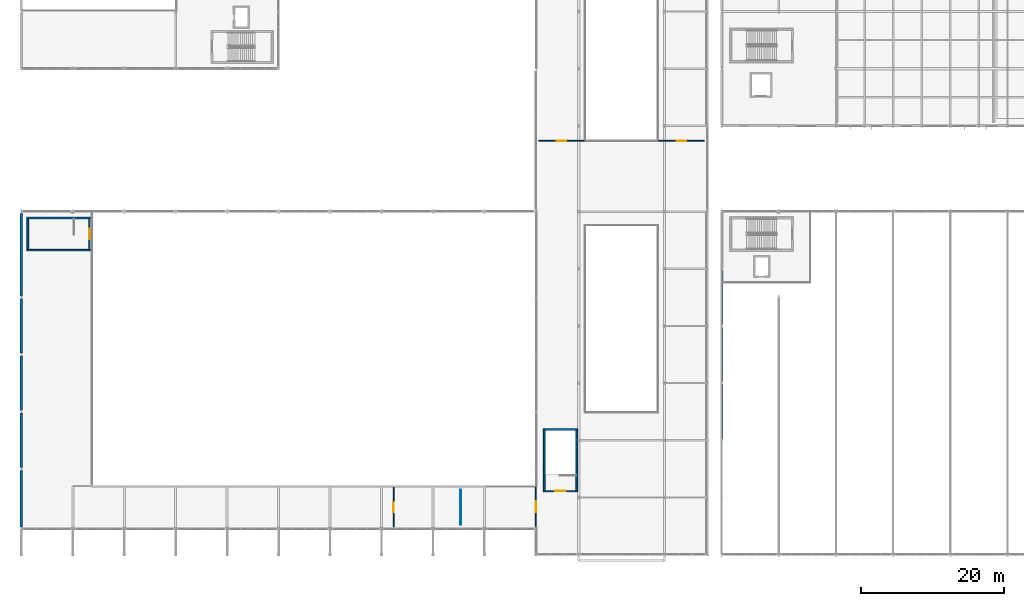
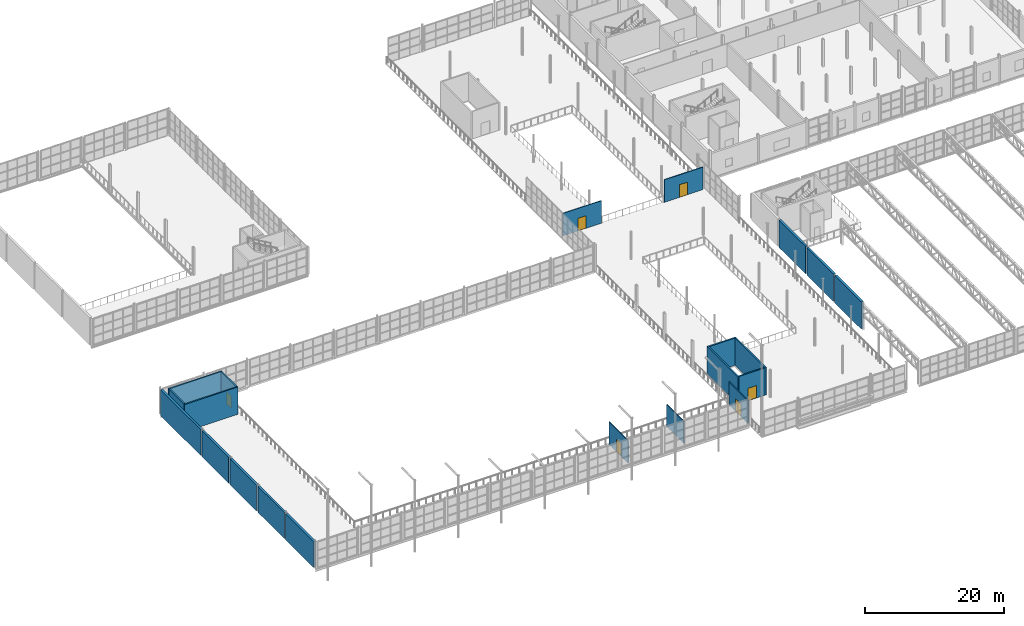
# One storey, part 122 of 143: 21 walls, 6 doors, 6 openings.
"""IFC4 building model written with IfcOpenShell, lengths in metres."""

import ifcopenshell
import ifcopenshell.guid

model = None  # the IFC model being written
_history = None  # IfcOwnerHistory: only IFC2X3 demands one
_inside = {}  # id of a spatial element -> (the spatial element, [elements in it])
_under = {}  # id of a project, library or spatial element -> (it, [spatial elements below it])
_declared = {}  # id of a project -> (the project, [libraries it declares])
_typed = {}  # id of a type object -> (the type object, [elements of that type])
_made_of = {}  # id of a material, layer set ... -> (it, [elements and type objects made of it])


def new_model(schema):
    """Start an empty IFC model of exactly this schema.

    Asked for "IFC4X3", IfcOpenShell would pick the latest addendum, in which some entities
    have other attributes; the version numbers below select the first issue.
    IFC2X3 requires an IfcOwnerHistory on every rooted entity: one is made here for all.
    """
    global model, _history
    if schema == "IFC4X3":
        model = ifcopenshell.file(schema_version=(4, 3, 0, 0))
    else:
        model = ifcopenshell.file(schema=schema)
    _inside.clear()
    _under.clear()
    _declared.clear()
    _typed.clear()
    _made_of.clear()
    _history = None
    if model.schema == "IFC2X3":
        org = make("IfcOrganization", Name="unknown")
        user = make(
            "IfcPersonAndOrganization",
            ThePerson=make("IfcPerson", FamilyName="unknown"),
            TheOrganization=org,
        )
        app = make(
            "IfcApplication",
            ApplicationDeveloper=org,
            Version="unknown",
            ApplicationFullName="unknown",
            ApplicationIdentifier="unknown",
        )
        _history = make(
            "IfcOwnerHistory",
            OwningUser=user,
            OwningApplication=app,
            ChangeAction="ADDED",
            CreationDate=0,
        )
    return model


def make(cls, **values):
    """One entity of the class cls with the attributes given. An attribute that is None is left unset."""
    return model.create_entity(
        cls, **{name: value for name, value in values.items() if value is not None}
    )


def rooted(cls, **values):
    """An entity with a GlobalId (a new one), such as an element, a storey or a relation."""
    return make(cls, GlobalId=ifcopenshell.guid.new(), OwnerHistory=_history, **values)


def si_unit(unit_type, name, prefix=None):
    """IfcSIUnit, for example si_unit("LENGTHUNIT", "METRE", prefix="MILLI")."""
    return make("IfcSIUnit", UnitType=unit_type, Prefix=prefix, Name=name)


def derived_unit(unit_type, elements):
    """IfcDerivedUnit: a product of units, each with its exponent."""
    return make(
        "IfcDerivedUnit",
        Elements=[
            make("IfcDerivedUnitElement", Unit=unit, Exponent=power)
            for unit, power in elements
        ],
        UnitType=unit_type,
    )


def assignment(units):
    """IfcUnitAssignment: the units of a project."""
    return None if units is None else make("IfcUnitAssignment", Units=units)


def point(xyz):
    """IfcCartesianPoint."""
    return None if xyz is None else make("IfcCartesianPoint", Coordinates=xyz)


def direction(xyz):
    """IfcDirection."""
    return None if xyz is None else make("IfcDirection", DirectionRatios=xyz)


def frame(location, z_axis=None, x_axis=None):
    """IfcAxis2Placement3D, a coordinate frame: its origin and axes. An axis left out is left unset."""
    return make(
        "IfcAxis2Placement3D",
        Location=point(location),
        Axis=direction(z_axis),
        RefDirection=direction(x_axis),
    )


def frame_2d(location, x_axis=None):
    """IfcAxis2Placement2D, a coordinate frame in the plane: its origin and x axis."""
    return make(
        "IfcAxis2Placement2D", Location=point(location), RefDirection=direction(x_axis)
    )


def origin():
    """The frame at (0, 0, 0) with its axes left unset."""
    return frame((0.0, 0.0, 0.0))


def place(relative_to, where):
    """IfcLocalPlacement: puts the frame where relative to a parent placement (None: the world)."""
    return make(
        "IfcLocalPlacement", PlacementRelTo=relative_to, RelativePlacement=where
    )


def context(
    kind, dimensions, precision=None, world=None, true_north=None, identifier=None
):
    """IfcGeometricRepresentationContext, for example the 3D "Model" context."""
    return make(
        "IfcGeometricRepresentationContext",
        ContextIdentifier=identifier,
        ContextType=kind,
        CoordinateSpaceDimension=dimensions,
        Precision=precision,
        WorldCoordinateSystem=world,
        TrueNorth=true_north,
    )


def subcontext(parent, identifier, kind, view, scale=None):
    """IfcGeometricRepresentationSubContext, for example "Body" below "Model"."""
    return make(
        "IfcGeometricRepresentationSubContext",
        ContextIdentifier=identifier,
        ContextType=kind,
        ParentContext=parent,
        TargetScale=scale,
        TargetView=view,
    )


def project(units=None, contexts=None):
    """IfcProject with its units and contexts."""
    return rooted(
        "IfcProject",
        Name="project",
        RepresentationContexts=contexts,
        UnitsInContext=assignment(units),
    )


def spatial(cls, under=None, at=None, **own):
    """A site, building, storey or space (cls), placed at a placement, below another one or the project."""
    s = rooted(cls, ObjectPlacement=at, **own)
    if under is not None:
        _under.setdefault(under.id(), (under, []))[1].append(s)
    return s


def profile(cls, at=None, kind="AREA", **sizes):
    """A parametric profile (cls). Its sizes go by their IFC names, for example OverallWidth=200.0."""
    return make(cls, ProfileType=kind, Position=at, **sizes)


def rectangle(**sizes):
    """IfcRectangleProfileDef."""
    return profile("IfcRectangleProfileDef", **sizes)


def extrude(swept, where, along, depth):
    """IfcExtrudedAreaSolid: the profile swept, set in the frame where, extruded along a direction by depth."""
    return make(
        "IfcExtrudedAreaSolid",
        SweptArea=swept,
        Position=where,
        ExtrudedDirection=direction(along),
        Depth=depth,
    )


def shape(context_of_items, identifier, shape_type, items):
    """IfcShapeRepresentation: the items that make up one representation, for example the "Body"."""
    return make(
        "IfcShapeRepresentation",
        ContextOfItems=context_of_items,
        RepresentationIdentifier=identifier,
        RepresentationType=shape_type,
        Items=items,
    )


def material(Name=None, Category=None):
    """IfcMaterial."""
    return make("IfcMaterial", Name=Name, Category=Category)


def layer(
    of_material, thickness, ventilated=None, Name=None, Category=None, Priority=None
):
    """IfcMaterialLayer: one layer of a wall or slab, of a material (None: an air gap)."""
    return make(
        "IfcMaterialLayer",
        Material=of_material,
        LayerThickness=thickness,
        IsVentilated=ventilated,
        Name=Name,
        Category=Category,
        Priority=Priority,
    )


def layer_set(layers, Name=None):
    """IfcMaterialLayerSet."""
    return make("IfcMaterialLayerSet", MaterialLayers=layers, LayerSetName=Name)


def made_of(thing, what):
    """Note that an element or type object is made of a material, layer set ...; save() writes the relation."""
    if what is not None:
        _made_of.setdefault(what.id(), (what, []))[1].append(thing)
    return thing


def type_object(cls, material=None, **own):
    """A type object (cls), such as IfcWallType, which elements share."""
    return made_of(rooted(cls, **own), material)


def element(
    cls,
    number,
    at=None,
    inside=None,
    cuts=None,
    type_object=None,
    material=None,
    context=None,
    identifier="Body",
    shape_type=None,
    held_by="IfcProductDefinitionShape",
    body=None,
    shapes=None,
    **own,
):
    """One element of the class cls, such as IfcWall. Its Tag is "e" and its number.

    at: its placement. inside: the storey or other place that contains it. cuts: it is an
    opening in that element (IfcRelVoidsElement). A single representation is given by context,
    identifier, shape_type and body (its items); several are given by shapes. held_by: the class
    of the entity that holds the representations. save() writes the other relations.
    """
    e = rooted(cls, Tag="e%d" % number, ObjectPlacement=at, **own)
    if body is not None:
        shapes = [shape(context, identifier, shape_type, body)]
    if shapes is not None:
        e.Representation = make(held_by, Representations=shapes)
    if inside is not None:
        _inside.setdefault(inside.id(), (inside, []))[1].append(e)
    if cuts is not None:
        rooted(
            "IfcRelVoidsElement", RelatingBuildingElement=cuts, RelatedOpeningElement=e
        )
    if type_object is not None:
        _typed.setdefault(type_object.id(), (type_object, []))[1].append(e)
    return made_of(e, material)


def fill(opening, filler):
    """IfcRelFillsElement: the door or window that sits in an opening."""
    return rooted(
        "IfcRelFillsElement",
        RelatingOpeningElement=opening,
        RelatedBuildingElement=filler,
    )


def aggregate(whole, parts):
    """IfcRelAggregates: a whole, such as a stair, and the parts it consists of."""
    return rooted("IfcRelAggregates", RelatingObject=whole, RelatedObjects=parts)


def save(model, path):
    """Write the relations noted so far, then the file.

    IfcRelAggregates (storeys below a building ...), IfcRelContainedInSpatialStructure (elements
    in a storey), IfcRelDefinesByType, IfcRelAssociatesMaterial and IfcRelDeclares: one each for
    every whole, place, type object, material and project.
    """
    for whole, parts in _under.values():
        aggregate(whole, parts)
    for where, things in _inside.values():
        rooted(
            "IfcRelContainedInSpatialStructure",
            RelatedElements=things,
            RelatingStructure=where,
        )
    for kind, things in _typed.values():
        rooted("IfcRelDefinesByType", RelatedObjects=things, RelatingType=kind)
    for what, things in _made_of.values():
        rooted("IfcRelAssociatesMaterial", RelatedObjects=things, RelatingMaterial=what)
    for by, libraries in _declared.values():
        rooted("IfcRelDeclares", RelatingContext=by, RelatedDefinitions=libraries)
    model.write(path)


model = new_model("IFC4")

# Units and contexts
model_context = context("Model", 3, precision=1e-05, world=origin(), true_north=direction((0.0, 1.0)))
body_context = subcontext(model_context, "Body", "Model", "MODEL_VIEW")
ifc_project = project(units=[si_unit("LENGTHUNIT", "METRE"), si_unit("AREAUNIT", "SQUARE_METRE"), si_unit("VOLUMEUNIT", "CUBIC_METRE"), si_unit("PLANEANGLEUNIT", "RADIAN"), si_unit("MASSUNIT", "GRAM", prefix="KILO"), derived_unit("THERMALTRANSMITTANCEUNIT", [(si_unit("POWERUNIT", "WATT"), 1), (si_unit("LENGTHUNIT", "METRE"), -2), (si_unit("THERMODYNAMICTEMPERATUREUNIT", "KELVIN"), -1)])], contexts=[model_context])

# Site, building, storey
site_placement = place(None, origin())
site = spatial("IfcSite", under=ifc_project, at=site_placement, CompositionType="ELEMENT")
building_placement = place(site_placement, origin())
building = spatial("IfcBuilding", under=site, at=building_placement, Name="Keldorne Ridge Multi-Sports Centre", CompositionType="ELEMENT")
storey_placement = place(building_placement, frame((0.0, 0.0, 4.800048828125)))
storey = spatial("IfcBuildingStorey", under=building, at=storey_placement, Name="L01", CompositionType="ELEMENT", Elevation=4.800048828125)

# Walls
ifc_material_1 = material(Name="Acoustic operable panel partition")
ifc_layer_1 = layer(ifc_material_1, 0.110107421875)
ifc_layer_set_1 = layer_set([ifc_layer_1])
wall_type_1 = type_object("IfcWallType", Name="WAL-MV-01", PredefinedType="MOVABLE", material=ifc_layer_set_1)
wall_1_placement = place(storey_placement, frame((67.5, 10.199951171875, 0.0), z_axis=(0.0, 0.0, 1.0), x_axis=(0.0, 1.0, 0.0)))
element("IfcWall", 1, at=wall_1_placement, inside=storey, type_object=wall_type_1, Name="Acoustic operable studio partition MV-06", PredefinedType="MOVABLE", context=body_context, shape_type="SweptSolid", body=[
    extrude(rectangle(XDim=4.900146484375, YDim=0.110107421875, at=frame_2d((2.4501953125, 0.0))), origin(), (0.0, 0.0, 1.0), 3.849853515625),
])
ifc_material_2 = material(Name="Precast concrete C40/50", Category="concrete")
ifc_layer_2 = layer(ifc_material_2, 0.360107421875)
ifc_layer_set_2 = layer_set([ifc_layer_2], Name="Precast concrete C40/50")
wall_type_2 = type_object("IfcWallType", Name="WAL-PR-W2", PredefinedType="STANDARD", material=ifc_layer_set_2)
wall_2_placement = place(storey_placement, frame((6.0, 17.818115234375, 0.0), z_axis=(0.0, 0.0, 1.0), x_axis=(0.0, -1.0, 0.0)))
element("IfcWall", 2, at=wall_2_placement, inside=storey, type_object=wall_type_2, Name="Main Hall west gable wall L01.1", PredefinedType="STANDARD", context=body_context, shape_type="SweptSolid", body=[
    extrude(rectangle(XDim=7.966064453125, YDim=0.360107421875, at=frame_2d((3.98291015625, 0.0))), origin(), (0.0, 0.0, 1.0), 4.554931640625),
])
for number, where, z_axis, x_axis, name in (
    (3, (6.0, 25.818115234375, 0.0), (0.0, 0.0, 1.0), (0.0, -1.0, 0.0), "Main Hall west gable wall L01.2"),
    (4, (6.0, 33.818115234375, 0.0), (0.0, 0.0, 1.0), (0.0, -1.0, 0.0), "Main Hall west gable wall L01.3"),
    (5, (6.0, 41.818115234375, 0.0), (0.0, 0.0, 1.0), (0.0, -1.0, 0.0), "Main Hall west gable wall L01.4"),
):
    element("IfcWall", number, at=place(storey_placement, frame(where, z_axis=z_axis, x_axis=x_axis)), inside=storey, type_object=wall_type_2, Name=name, PredefinedType="STANDARD", context=body_context, shape_type="SweptSolid", body=[
        extrude(rectangle(XDim=7.63623046875, YDim=0.360107421875, at=frame_2d((3.818115234375, 0.0))), origin(), (0.0, 0.0, 1.0), 4.554931640625),
    ])
wall_3_placement = place(storey_placement, frame((6.0, 53.748046875, 0.0), z_axis=(0.0, 0.0, 1.0), x_axis=(0.0, -1.0, 0.0)))
element("IfcWall", 6, at=wall_3_placement, inside=storey, type_object=wall_type_2, Name="Main Hall west gable wall L01.5", PredefinedType="STANDARD", context=body_context, shape_type="SweptSolid", body=[
    extrude(rectangle(XDim=11.566162109375, YDim=0.360107421875, at=frame_2d((5.783203125, 0.0))), origin(), (0.0, 0.0, 1.0), 4.554931640625),
])
for number, where, z_axis, x_axis, name in (
    (7, (104.0, 29.818115234375, 0.0), (0.0, 0.0, 1.0), (0.0, -1.0, 0.0), "Stacked Courts movement-joint wall L01.3"),
    (8, (104.0, 37.818115234375, 0.0), (0.0, 0.0, 1.0), (0.0, -1.0, 0.0), "Stacked Courts movement-joint wall L01.4"),
    (9, (104.0, 45.818115234375, 0.0), (0.0, 0.0, 1.0), (0.0, -1.0, 0.0), "Stacked Courts movement-joint wall L01.5"),
):
    element("IfcWall", number, at=place(storey_placement, frame(where, z_axis=z_axis, x_axis=x_axis)), inside=storey, type_object=wall_type_2, Name=name, PredefinedType="STANDARD", context=body_context, shape_type="SweptSolid", body=[
        extrude(rectangle(XDim=7.63623046875, YDim=0.360107421875, at=frame_2d((3.818115234375, 0.0))), origin(), (0.0, 0.0, 1.0), 4.800048828125),
    ])

# Wall, opening, door
ifc_material_3 = material(Name="Acoustic metal stud plasterboard")
ifc_layer_3 = layer(ifc_material_3, 0.125)
ifc_layer_set_3 = layer_set([ifc_layer_3])
wall_type_3 = type_object("IfcWallType", Name="WAL-PT-01", PredefinedType="PARTITIONING", material=ifc_layer_set_3)
wall_4_placement = place(storey_placement, frame((58.10009765625, 9.89990234375, 0.0), z_axis=(0.0, 0.0, 1.0), x_axis=(0.0, 1.0, 0.0)))
wall_4 = element("IfcWall", 10, at=wall_4_placement, inside=storey, type_object=wall_type_3, Name="Media Seminar Suite west wall IW-L01-038", PredefinedType="PARTITIONING", context=body_context, shape_type="SweptSolid", body=[
    extrude(rectangle(XDim=5.5, YDim=0.125, at=frame_2d((2.75, 0.0))), origin(), (0.0, 0.0, 1.0), 3.949951171875),
])
opening_1_placement = place(wall_4_placement, frame((2.0, 0.0, 0.0)))
opening_1 = element("IfcOpeningElement", 11, at=opening_1_placement, cuts=wall_4, Name="Opening D-09", PredefinedType="OPENING", context=body_context, shape_type="SweptSolid", body=[
    extrude(rectangle(XDim=1.35009765625, YDim=2.199951171875, at=frame_2d((0.675048828125, 1.10009765625))), frame((0.0, 0.072509765625, 0.0), z_axis=(0.0, -1.0, 0.0), x_axis=(1.0, 0.0, 0.0)), (0.0, 0.0, 1.0), 0.14501953125),
])
ifc_material_4 = material(Name="Timber acoustic pair", Category="wood")
door_type_1 = type_object("IfcDoorType", Name="DR-D-09", OperationType="NOTDEFINED", PredefinedType="DOOR", material=ifc_material_4)
door_1_placement = place(opening_1_placement, origin())
door_1 = element("IfcDoor", 12, at=door_1_placement, inside=storey, type_object=door_type_1, Name="Media Seminar Suite door D-097", OperationType="DOUBLE_DOOR_SINGLE_SWING", OverallHeight=2.199951171875, OverallWidth=1.35009765625, PredefinedType="DOOR", context=body_context, shape_type="SweptSolid", body=[
    extrude(rectangle(XDim=1.35009765625, YDim=2.199951171875, at=frame_2d((0.675048828125, 1.10009765625))), frame((0.0, 0.02490234375, 0.0), z_axis=(0.0, -1.0, 0.0), x_axis=(1.0, 0.0, 0.0)), (0.0, 0.0, 1.0), 0.050048828125),
])
fill(opening_1, door_1)

wall_5_placement = place(storey_placement, frame((78.39990234375, 63.89990234375, 0.0), z_axis=(0.0, 0.0, 1.0), x_axis=(1.0, 0.0, 0.0)))
wall_5 = element("IfcWall", 13, at=wall_5_placement, inside=storey, type_object=wall_type_3, Name="Club Lounge west divider IW-L01-040", PredefinedType="PARTITIONING", context=body_context, shape_type="SweptSolid", body=[
    extrude(rectangle(XDim=6.400146484375, YDim=0.125, at=frame_2d((3.2001953125, 0.0))), origin(), (0.0, 0.0, 1.0), 3.949951171875),
])
opening_2_placement = place(wall_5_placement, frame((2.5, 0.0, 0.0)))
opening_2 = element("IfcOpeningElement", 14, at=opening_2_placement, cuts=wall_5, Name="Opening D-09", PredefinedType="OPENING", context=body_context, shape_type="SweptSolid", body=[
    extrude(rectangle(XDim=1.35009765625, YDim=2.199951171875, at=frame_2d((0.675048828125, 1.10009765625))), frame((0.0, 0.072509765625, 0.0), z_axis=(0.0, -1.0, 0.0), x_axis=(1.0, 0.0, 0.0)), (0.0, 0.0, 1.0), 0.14501953125),
])
door_2_placement = place(opening_2_placement, origin())
door_2 = element("IfcDoor", 15, at=door_2_placement, inside=storey, type_object=door_type_1, Name="North Community Club Lounge west door D-099", OperationType="DOUBLE_DOOR_SINGLE_SWING", OverallHeight=2.199951171875, OverallWidth=1.35009765625, PredefinedType="DOOR", context=body_context, shape_type="SweptSolid", body=[
    extrude(rectangle(XDim=1.35009765625, YDim=2.199951171875, at=frame_2d((0.675048828125, 1.10009765625))), frame((0.0, 0.02490234375, 0.0), z_axis=(0.0, -1.0, 0.0), x_axis=(1.0, 0.0, 0.0)), (0.0, 0.0, 1.0), 0.050048828125),
])
fill(opening_2, door_2)

wall_6_placement = place(storey_placement, frame((95.199951171875, 63.89990234375, 0.0), z_axis=(0.0, 0.0, 1.0), x_axis=(1.0, 0.0, 0.0)))
wall_6 = element("IfcWall", 16, at=wall_6_placement, inside=storey, type_object=wall_type_3, Name="Club Lounge east divider IW-L01-041", PredefinedType="PARTITIONING", context=body_context, shape_type="SweptSolid", body=[
    extrude(rectangle(XDim=6.400146484375, YDim=0.125, at=frame_2d((3.2001953125, 0.0))), origin(), (0.0, 0.0, 1.0), 3.949951171875),
])
opening_3_placement = place(wall_6_placement, frame((2.5, 0.0, 0.0)))
opening_3 = element("IfcOpeningElement", 17, at=opening_3_placement, cuts=wall_6, Name="Opening D-09", PredefinedType="OPENING", context=body_context, shape_type="SweptSolid", body=[
    extrude(rectangle(XDim=1.35009765625, YDim=2.199951171875, at=frame_2d((0.675048828125, 1.10009765625))), frame((0.0, 0.072509765625, 0.0), z_axis=(0.0, -1.0, 0.0), x_axis=(1.0, 0.0, 0.0)), (0.0, 0.0, 1.0), 0.14501953125),
])
door_3_placement = place(opening_3_placement, origin())
door_3 = element("IfcDoor", 18, at=door_3_placement, inside=storey, type_object=door_type_1, Name="North Community Club Lounge east door D-100", OperationType="DOUBLE_DOOR_SINGLE_SWING", OverallHeight=2.199951171875, OverallWidth=1.35009765625, PredefinedType="DOOR", context=body_context, shape_type="SweptSolid", body=[
    extrude(rectangle(XDim=1.35009765625, YDim=2.199951171875, at=frame_2d((0.675048828125, 1.10009765625))), frame((0.0, 0.02490234375, 0.0), z_axis=(0.0, -1.0, 0.0), x_axis=(1.0, 0.0, 0.0)), (0.0, 0.0, 1.0), 0.050048828125),
])
fill(opening_3, door_3)

ifc_material_5 = material(Name="Fire-rated twin stud plasterboard")
ifc_layer_4 = layer(ifc_material_5, 0.14990234375)
ifc_layer_set_4 = layer_set([ifc_layer_4])
wall_type_4 = type_object("IfcWallType", Name="WAL-PT-02", PredefinedType="PARTITIONING", material=ifc_layer_set_4)
wall_7_placement = place(storey_placement, frame((78.0, 9.89990234375, 0.0), z_axis=(0.0, 0.0, 1.0), x_axis=(0.0, 1.0, 0.0)))
wall_7 = element("IfcWall", 19, at=wall_7_placement, inside=storey, type_object=wall_type_4, Name="Upper Concourse to Bridge wall IW-L01-039", PredefinedType="PARTITIONING", context=body_context, shape_type="SweptSolid", body=[
    extrude(rectangle(XDim=5.5, YDim=0.14990234375, at=frame_2d((2.75, 0.0))), origin(), (0.0, 0.0, 1.0), 3.949951171875),
])
opening_4_placement = place(wall_7_placement, frame((2.0, 0.0, 0.0)))
opening_4 = element("IfcOpeningElement", 20, at=opening_4_placement, cuts=wall_7, Name="Opening D-04", PredefinedType="OPENING", context=body_context, shape_type="SweptSolid", body=[
    extrude(rectangle(XDim=1.60009765625, YDim=2.199951171875, at=frame_2d((0.800048828125, 1.10009765625))), frame((0.0, 0.0849609375, 0.0), z_axis=(0.0, -1.0, 0.0), x_axis=(1.0, 0.0, 0.0)), (0.0, 0.0, 1.0), 0.169921875),
])
ifc_material_6 = material(Name="Timber fire-resisting pair", Category="wood")
door_type_2 = type_object("IfcDoorType", Name="DR-D-04", OperationType="NOTDEFINED", PredefinedType="DOOR", material=ifc_material_6)
door_4_placement = place(opening_4_placement, origin())
door_4 = element("IfcDoor", 21, at=door_4_placement, inside=storey, type_object=door_type_2, Name="Upper Concourse to Bridge door D-098", OperationType="DOUBLE_DOOR_SINGLE_SWING", OverallHeight=2.199951171875, OverallWidth=1.60009765625, PredefinedType="DOOR", context=body_context, shape_type="SweptSolid", body=[
    extrude(rectangle(XDim=1.60009765625, YDim=2.199951171875, at=frame_2d((0.800048828125, 1.10009765625))), frame((0.0, 0.02490234375, 0.0), z_axis=(0.0, -1.0, 0.0), x_axis=(1.0, 0.0, 0.0)), (0.0, 0.0, 1.0), 0.050048828125),
])
fill(opening_4, door_4)

ifc_material_7 = material(Name="Concrete C40/50", Category="concrete")
ifc_layer_5 = layer(ifc_material_7, 0.22998046875)
ifc_layer_set_5 = layer_set([ifc_layer_5], Name="Concrete C40/50")
wall_type_5 = type_object("IfcWallType", Name="WAL-SW02", PredefinedType="SHEAR", material=ifc_layer_set_5)
wall_8_placement = place(storey_placement, frame((79.300048828125, 14.885009765625, 0.0), z_axis=(0.0, 0.0, 1.0), x_axis=(1.0, 0.0, 0.0)))
wall_8 = element("IfcWall", 22, at=wall_8_placement, inside=storey, type_object=wall_type_5, Name="Stair ST-07 shaft wall L01 NEAR", PredefinedType="SHEAR", context=body_context, shape_type="SweptSolid", body=[
    extrude(rectangle(XDim=4.300048828125, YDim=0.22998046875, at=frame_2d((2.14990234375, 0.0))), origin(), (0.0, 0.0, 1.0), 4.800048828125),
])
opening_5_placement = place(wall_8_placement, frame((1.425048828125, 0.0, 0.0)))
opening_5 = element("IfcOpeningElement", 23, at=opening_5_placement, cuts=wall_8, Name="Opening D-05", PredefinedType="OPENING", context=body_context, shape_type="SweptSolid", body=[
    extrude(rectangle(XDim=1.449951171875, YDim=2.199951171875, at=frame_2d((0.72509765625, 1.10009765625))), frame((0.0, 0.125, 0.0), z_axis=(0.0, -1.0, 0.0), x_axis=(1.0, 0.0, 0.0)), (0.0, 0.0, 1.0), 0.25),
])
ifc_material_8 = material(Name="Steel fire-resisting pair", Category="steel")
door_type_3 = type_object("IfcDoorType", Name="DR-D-05", OperationType="NOTDEFINED", PredefinedType="DOOR", material=ifc_material_8)
door_5_placement = place(opening_5_placement, origin())
door_5 = element("IfcDoor", 24, at=door_5_placement, inside=storey, type_object=door_type_3, Name="Stair ST-07 L01 fire door D-033", OperationType="DOUBLE_DOOR_SINGLE_SWING", OverallHeight=2.199951171875, OverallWidth=1.449951171875, PredefinedType="DOOR", context=body_context, shape_type="SweptSolid", body=[
    extrude(rectangle(XDim=1.449951171875, YDim=2.199951171875, at=frame_2d((0.72509765625, 1.10009765625))), frame((0.0, 0.02490234375, 0.0), z_axis=(0.0, -1.0, 0.0), x_axis=(1.0, 0.0, 0.0)), (0.0, 0.0, 1.0), 0.050048828125),
])
fill(opening_5, door_5)

# Walls
wall_9_placement = place(storey_placement, frame((83.60009765625, 23.514892578125, 0.0), z_axis=(0.0, 0.0, 1.0), x_axis=(-1.0, 0.0, 0.0)))
element("IfcWall", 25, at=wall_9_placement, inside=storey, type_object=wall_type_5, Name="Stair ST-07 shaft wall L01 FAR", PredefinedType="SHEAR", context=body_context, shape_type="SweptSolid", body=[
    extrude(rectangle(XDim=4.300048828125, YDim=0.22998046875, at=frame_2d((2.14990234375, 0.0))), origin(), (0.0, 0.0, 1.0), 4.800048828125),
])
for number, where, z_axis, x_axis, name in (
    (26, (79.18505859375, 14.77001953125, 0.0), (0.0, 0.0, 1.0), (0.0, 1.0, 0.0), "Stair ST-07 shaft wall L01 WEST"),
    (27, (83.715087890625, 23.6298828125, 0.0), (0.0, 0.0, 1.0), (0.0, -1.0, 0.0), "Stair ST-07 shaft wall L01 EAST"),
):
    element("IfcWall", number, at=place(storey_placement, frame(where, z_axis=z_axis, x_axis=x_axis)), inside=storey, type_object=wall_type_5, Name=name, PredefinedType="SHEAR", context=body_context, shape_type="SweptSolid", body=[
        extrude(rectangle(XDim=8.85986328125, YDim=0.22998046875, at=frame_2d((4.429931640625, 0.0))), origin(), (0.0, 0.0, 1.0), 4.800048828125),
    ])

# Wall, opening, door
wall_10_placement = place(storey_placement, frame((15.514892578125, 48.719970703125, 0.0), z_axis=(0.0, 0.0, 1.0), x_axis=(0.0, 1.0, 0.0)))
wall_10 = element("IfcWall", 28, at=wall_10_placement, inside=storey, type_object=wall_type_5, Name="Stair ST-09 shaft wall L01 NEAR", PredefinedType="SHEAR", context=body_context, shape_type="SweptSolid", body=[
    extrude(rectangle(XDim=4.280029296875, YDim=0.22998046875, at=frame_2d((2.14013671875, 0.0))), origin(), (0.0, 0.0, 1.0), 4.800048828125),
])
opening_6_placement = place(wall_10_placement, frame((1.4150390625, 0.0, 0.0)))
opening_6 = element("IfcOpeningElement", 29, at=opening_6_placement, cuts=wall_10, Name="Opening D-05", PredefinedType="OPENING", context=body_context, shape_type="SweptSolid", body=[
    extrude(rectangle(XDim=1.449951171875, YDim=2.199951171875, at=frame_2d((0.72509765625, 1.10009765625))), frame((0.0, 0.125, 0.0), z_axis=(0.0, -1.0, 0.0), x_axis=(1.0, 0.0, 0.0)), (0.0, 0.0, 1.0), 0.25),
])
door_6_placement = place(opening_6_placement, origin())
door_6 = element("IfcDoor", 30, at=door_6_placement, inside=storey, type_object=door_type_3, Name="Stair ST-09 L01 fire door D-037", OperationType="DOUBLE_DOOR_SINGLE_SWING", OverallHeight=2.199951171875, OverallWidth=1.449951171875, PredefinedType="DOOR", context=body_context, shape_type="SweptSolid", body=[
    extrude(rectangle(XDim=1.449951171875, YDim=2.199951171875, at=frame_2d((0.72509765625, 1.10009765625))), frame((0.0, 0.02490234375, 0.0), z_axis=(0.0, -1.0, 0.0), x_axis=(1.0, 0.0, 0.0)), (0.0, 0.0, 1.0), 0.050048828125),
])
fill(opening_6, door_6)

# Walls
wall_11_placement = place(storey_placement, frame((6.885009765625, 53.0, 0.0), z_axis=(0.0, 0.0, 1.0), x_axis=(0.0, -1.0, 0.0)))
element("IfcWall", 31, at=wall_11_placement, inside=storey, type_object=wall_type_5, Name="Stair ST-09 shaft wall L01 FAR", PredefinedType="SHEAR", context=body_context, shape_type="SweptSolid", body=[
    extrude(rectangle(XDim=4.280029296875, YDim=0.22998046875, at=frame_2d((2.14013671875, 0.0))), origin(), (0.0, 0.0, 1.0), 4.800048828125),
])
for number, where, z_axis, x_axis, name in (
    (32, (6.77001953125, 48.60498046875, 0.0), (0.0, 0.0, 1.0), (1.0, 0.0, 0.0), "Stair ST-09 shaft wall L01 SOUTH"),
    (33, (15.6298828125, 53.114990234375, 0.0), (0.0, 0.0, 1.0), (-1.0, 0.0, 0.0), "Stair ST-09 shaft wall L01 NORTH"),
):
    element("IfcWall", number, at=place(storey_placement, frame(where, z_axis=z_axis, x_axis=x_axis)), inside=storey, type_object=wall_type_5, Name=name, PredefinedType="SHEAR", context=body_context, shape_type="SweptSolid", body=[
        extrude(rectangle(XDim=8.85986328125, YDim=0.22998046875, at=frame_2d((4.429931640625, 0.0))), origin(), (0.0, 0.0, 1.0), 4.800048828125),
    ])

save(model, "model.ifc")
